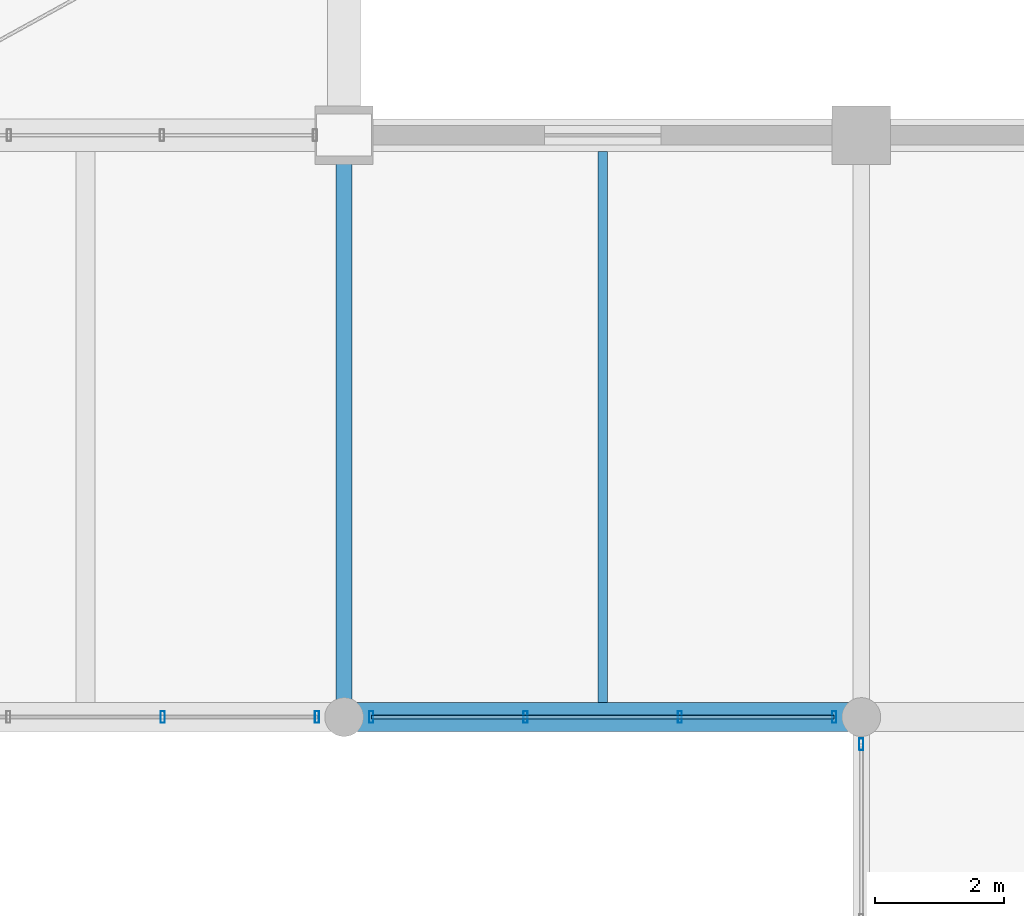
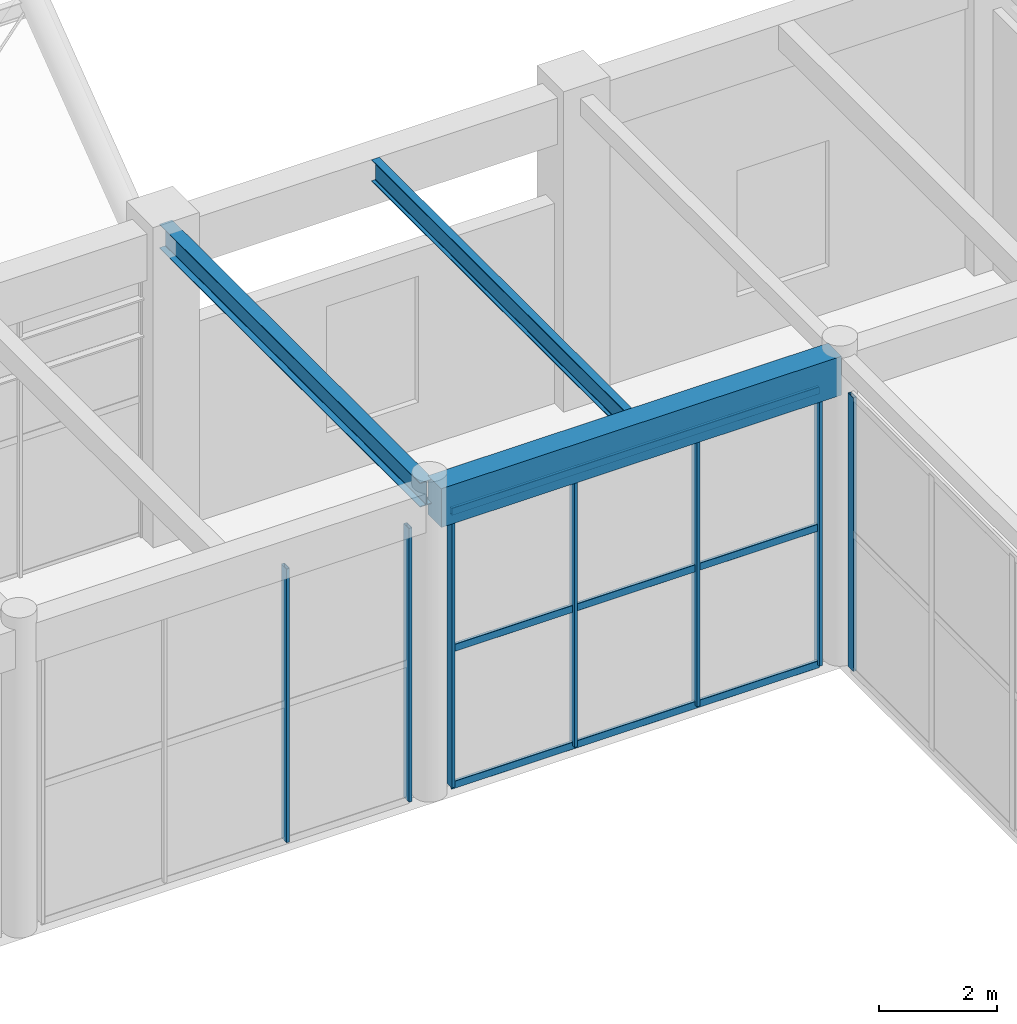
# One storey, part 97 of 163: 10 members, 3 beams, 3 elements without a shape of their own.
"""IFC4 building model written with IfcOpenShell, lengths in metres."""

import ifcopenshell
import ifcopenshell.guid

model = None  # the IFC model being written
_history = None  # IfcOwnerHistory: only IFC2X3 demands one
_inside = {}  # id of a spatial element -> (the spatial element, [elements in it])
_under = {}  # id of a project, library or spatial element -> (it, [spatial elements below it])
_declared = {}  # id of a project -> (the project, [libraries it declares])
_typed = {}  # id of a type object -> (the type object, [elements of that type])
_made_of = {}  # id of a material, layer set ... -> (it, [elements and type objects made of it])


def new_model(schema):
    """Start an empty IFC model of exactly this schema.

    Asked for "IFC4X3", IfcOpenShell would pick the latest addendum, in which some entities
    have other attributes; the version numbers below select the first issue.
    IFC2X3 requires an IfcOwnerHistory on every rooted entity: one is made here for all.
    """
    global model, _history
    if schema == "IFC4X3":
        model = ifcopenshell.file(schema_version=(4, 3, 0, 0))
    else:
        model = ifcopenshell.file(schema=schema)
    _inside.clear()
    _under.clear()
    _declared.clear()
    _typed.clear()
    _made_of.clear()
    _history = None
    if model.schema == "IFC2X3":
        org = make("IfcOrganization", Name="unknown")
        user = make(
            "IfcPersonAndOrganization",
            ThePerson=make("IfcPerson", FamilyName="unknown"),
            TheOrganization=org,
        )
        app = make(
            "IfcApplication",
            ApplicationDeveloper=org,
            Version="unknown",
            ApplicationFullName="unknown",
            ApplicationIdentifier="unknown",
        )
        _history = make(
            "IfcOwnerHistory",
            OwningUser=user,
            OwningApplication=app,
            ChangeAction="ADDED",
            CreationDate=0,
        )
    return model


def make(cls, **values):
    """One entity of the class cls with the attributes given. An attribute that is None is left unset."""
    return model.create_entity(
        cls, **{name: value for name, value in values.items() if value is not None}
    )


def rooted(cls, **values):
    """An entity with a GlobalId (a new one), such as an element, a storey or a relation."""
    return make(cls, GlobalId=ifcopenshell.guid.new(), OwnerHistory=_history, **values)


def si_unit(unit_type, name, prefix=None):
    """IfcSIUnit, for example si_unit("LENGTHUNIT", "METRE", prefix="MILLI")."""
    return make("IfcSIUnit", UnitType=unit_type, Prefix=prefix, Name=name)


def assignment(units):
    """IfcUnitAssignment: the units of a project."""
    return None if units is None else make("IfcUnitAssignment", Units=units)


def point(xyz):
    """IfcCartesianPoint."""
    return None if xyz is None else make("IfcCartesianPoint", Coordinates=xyz)


def direction(xyz):
    """IfcDirection."""
    return None if xyz is None else make("IfcDirection", DirectionRatios=xyz)


def frame(location, z_axis=None, x_axis=None):
    """IfcAxis2Placement3D, a coordinate frame: its origin and axes. An axis left out is left unset."""
    return make(
        "IfcAxis2Placement3D",
        Location=point(location),
        Axis=direction(z_axis),
        RefDirection=direction(x_axis),
    )


def frame_2d(location, x_axis=None):
    """IfcAxis2Placement2D, a coordinate frame in the plane: its origin and x axis."""
    return make(
        "IfcAxis2Placement2D", Location=point(location), RefDirection=direction(x_axis)
    )


def origin():
    """The frame at (0, 0, 0) with its axes left unset."""
    return frame((0.0, 0.0, 0.0))


def origin_2d():
    """The frame at (0, 0) in the plane with its x axis left unset."""
    return frame_2d((0.0, 0.0))


def place(relative_to, where):
    """IfcLocalPlacement: puts the frame where relative to a parent placement (None: the world)."""
    return make(
        "IfcLocalPlacement", PlacementRelTo=relative_to, RelativePlacement=where
    )


def context(
    kind, dimensions, precision=None, world=None, true_north=None, identifier=None
):
    """IfcGeometricRepresentationContext, for example the 3D "Model" context."""
    return make(
        "IfcGeometricRepresentationContext",
        ContextIdentifier=identifier,
        ContextType=kind,
        CoordinateSpaceDimension=dimensions,
        Precision=precision,
        WorldCoordinateSystem=world,
        TrueNorth=true_north,
    )


def subcontext(parent, identifier, kind, view, scale=None):
    """IfcGeometricRepresentationSubContext, for example "Body" below "Model"."""
    return make(
        "IfcGeometricRepresentationSubContext",
        ContextIdentifier=identifier,
        ContextType=kind,
        ParentContext=parent,
        TargetScale=scale,
        TargetView=view,
    )


def project(units=None, contexts=None):
    """IfcProject with its units and contexts."""
    return rooted(
        "IfcProject",
        Name="project",
        RepresentationContexts=contexts,
        UnitsInContext=assignment(units),
    )


def spatial(cls, under=None, at=None, **own):
    """A site, building, storey or space (cls), placed at a placement, below another one or the project."""
    s = rooted(cls, ObjectPlacement=at, **own)
    if under is not None:
        _under.setdefault(under.id(), (under, []))[1].append(s)
    return s


def profile(cls, at=None, kind="AREA", **sizes):
    """A parametric profile (cls). Its sizes go by their IFC names, for example OverallWidth=200.0."""
    return make(cls, ProfileType=kind, Position=at, **sizes)


def rectangle(**sizes):
    """IfcRectangleProfileDef."""
    return profile("IfcRectangleProfileDef", **sizes)


def hollow_rectangle(**sizes):
    """IfcRectangleHollowProfileDef."""
    return profile("IfcRectangleHollowProfileDef", **sizes)


def i_section(**sizes):
    """IfcIShapeProfileDef."""
    return profile("IfcIShapeProfileDef", **sizes)


def extrude(swept, where, along, depth):
    """IfcExtrudedAreaSolid: the profile swept, set in the frame where, extruded along a direction by depth."""
    return make(
        "IfcExtrudedAreaSolid",
        SweptArea=swept,
        Position=where,
        ExtrudedDirection=direction(along),
        Depth=depth,
    )


def shape(context_of_items, identifier, shape_type, items):
    """IfcShapeRepresentation: the items that make up one representation, for example the "Body"."""
    return make(
        "IfcShapeRepresentation",
        ContextOfItems=context_of_items,
        RepresentationIdentifier=identifier,
        RepresentationType=shape_type,
        Items=items,
    )


def material(Name=None, Category=None):
    """IfcMaterial."""
    return make("IfcMaterial", Name=Name, Category=Category)


def material_profile(
    of_material, cross_section, Name=None, Category=None, Priority=None
):
    """IfcMaterialProfile: a cross section and its material."""
    return make(
        "IfcMaterialProfile",
        Name=Name,
        Material=of_material,
        Profile=cross_section,
        Priority=Priority,
        Category=Category,
    )


def profile_set(profiles, Name=None, composite=None):
    """IfcMaterialProfileSet."""
    return make(
        "IfcMaterialProfileSet",
        Name=Name,
        MaterialProfiles=profiles,
        CompositeProfile=composite,
    )


def made_of(thing, what):
    """Note that an element or type object is made of a material, layer set ...; save() writes the relation."""
    if what is not None:
        _made_of.setdefault(what.id(), (what, []))[1].append(thing)
    return thing


def type_object(cls, material=None, **own):
    """A type object (cls), such as IfcWallType, which elements share."""
    return made_of(rooted(cls, **own), material)


def element(
    cls,
    number,
    at=None,
    inside=None,
    cuts=None,
    type_object=None,
    material=None,
    context=None,
    identifier="Body",
    shape_type=None,
    held_by="IfcProductDefinitionShape",
    body=None,
    shapes=None,
    **own,
):
    """One element of the class cls, such as IfcWall. Its Tag is "e" and its number.

    at: its placement. inside: the storey or other place that contains it. cuts: it is an
    opening in that element (IfcRelVoidsElement). A single representation is given by context,
    identifier, shape_type and body (its items); several are given by shapes. held_by: the class
    of the entity that holds the representations. save() writes the other relations.
    """
    e = rooted(cls, Tag="e%d" % number, ObjectPlacement=at, **own)
    if body is not None:
        shapes = [shape(context, identifier, shape_type, body)]
    if shapes is not None:
        e.Representation = make(held_by, Representations=shapes)
    if inside is not None:
        _inside.setdefault(inside.id(), (inside, []))[1].append(e)
    if cuts is not None:
        rooted(
            "IfcRelVoidsElement", RelatingBuildingElement=cuts, RelatedOpeningElement=e
        )
    if type_object is not None:
        _typed.setdefault(type_object.id(), (type_object, []))[1].append(e)
    return made_of(e, material)


def aggregate(whole, parts):
    """IfcRelAggregates: a whole, such as a stair, and the parts it consists of."""
    return rooted("IfcRelAggregates", RelatingObject=whole, RelatedObjects=parts)


def save(model, path):
    """Write the relations noted so far, then the file.

    IfcRelAggregates (storeys below a building ...), IfcRelContainedInSpatialStructure (elements
    in a storey), IfcRelDefinesByType, IfcRelAssociatesMaterial and IfcRelDeclares: one each for
    every whole, place, type object, material and project.
    """
    for whole, parts in _under.values():
        aggregate(whole, parts)
    for where, things in _inside.values():
        rooted(
            "IfcRelContainedInSpatialStructure",
            RelatedElements=things,
            RelatingStructure=where,
        )
    for kind, things in _typed.values():
        rooted("IfcRelDefinesByType", RelatedObjects=things, RelatingType=kind)
    for what, things in _made_of.values():
        rooted("IfcRelAssociatesMaterial", RelatedObjects=things, RelatingMaterial=what)
    for by, libraries in _declared.values():
        rooted("IfcRelDeclares", RelatingContext=by, RelatedDefinitions=libraries)
    model.write(path)


model = new_model("IFC4")

# Units and contexts
model_context = context("Model", 3, precision=1e-05, world=origin(), true_north=direction((0.0, 1.0)))
body_context = subcontext(model_context, "Body", "Model", "MODEL_VIEW")
ifc_project = project(units=[si_unit("LENGTHUNIT", "METRE"), si_unit("AREAUNIT", "SQUARE_METRE"), si_unit("VOLUMEUNIT", "CUBIC_METRE"), si_unit("PLANEANGLEUNIT", "RADIAN"), si_unit("MASSUNIT", "GRAM", prefix="KILO")], contexts=[model_context])

# Site, building, storey
site_placement = place(None, origin())
site = spatial("IfcSite", under=ifc_project, at=site_placement, CompositionType="ELEMENT")
building_placement = place(site_placement, origin())
building = spatial("IfcBuilding", under=site, at=building_placement, Name="Varnabhumi Central Station", CompositionType="ELEMENT")
storey_placement = place(building_placement, frame((0.0, 0.0, 9.60009765625)))
storey = spatial("IfcBuildingStorey", under=building, at=storey_placement, Name="L02", CompositionType="ELEMENT", Elevation=9.60009765625)

# Beams
ifc_material_1 = material(Name="Structural steel E350", Category="steel")
ifc_material_profile_1 = material_profile(ifc_material_1, i_section(OverallWidth=0.14990234375, OverallDepth=0.449951171875, WebThickness=0.009521484375, FlangeThickness=0.017333984375, FilletRadius=0.014892578125, at=origin_2d()), Name="Structural steel E350", Category="steel")
ifc_profile_set_1 = profile_set([ifc_material_profile_1], Name="Structural steel E350")
beam_type_1 = type_object("IfcBeamType", Name="BM-JST-ISMB450", PredefinedType="JOIST", material=ifc_profile_set_1)
beam_1_placement = place(storey_placement, frame((140.0, 27.22509765625, 6.125), z_axis=(0.0, 1.0, 0.0), x_axis=(-1.0, 0.0, 0.0)))
element("IfcBeam", 1, at=beam_1_placement, inside=storey, type_object=beam_type_1, Name="Secondary Joist L02-18/19:D-E", PredefinedType="JOIST", context=body_context, shape_type="SweptSolid", body=[
    extrude(i_section(OverallWidth=0.14990234375, OverallDepth=0.449951171875, WebThickness=0.009521484375, FlangeThickness=0.017333984375, FilletRadius=0.014892578125, at=origin_2d()), origin(), (0.0, 0.0, 1.0), 8.52490234375),
])
ifc_material_2 = material(Name="Concrete M40", Category="concrete")
ifc_material_profile_2 = material_profile(ifc_material_2, rectangle(XDim=0.449951171875, YDim=0.800048828125, at=origin_2d()), Name="Concrete M40", Category="concrete")
ifc_profile_set_2 = profile_set([ifc_material_profile_2], Name="Concrete M40")
beam_type_2 = type_object("IfcBeamType", Name="BM-RC-450x800", PredefinedType="BEAM", material=ifc_profile_set_2)
beam_2_placement = place(storey_placement, frame((136.10009765625, 27.0, 5.949951171875), z_axis=(1.0, 0.0, 0.0), x_axis=(0.0, 1.0, 0.0)))
element("IfcBeam", 2, at=beam_2_placement, inside=storey, type_object=beam_type_2, Name="Beam L02-D:18-19", PredefinedType="BEAM", context=body_context, shape_type="SweptSolid", body=[
    extrude(rectangle(XDim=0.449951171875, YDim=0.800048828125, at=origin_2d()), origin(), (0.0, 0.0, 1.0), 7.7998046875),
])
ifc_material_profile_3 = material_profile(ifc_material_1, i_section(OverallWidth=0.25, OverallDepth=0.5, WebThickness=0.010009765625, FlangeThickness=0.0146484375, FilletRadius=0.014892578125, at=origin_2d()), Name="Structural steel E350", Category="steel")
ifc_profile_set_3 = profile_set([ifc_material_profile_3], Name="Structural steel E350")
beam_type_3 = type_object("IfcBeamType", Name="BM-SEC-ISWB500", PredefinedType="BEAM", material=ifc_profile_set_3)
beam_3_placement = place(storey_placement, frame((136.0, 27.10009765625, 6.099853515625), z_axis=(0.0, 1.0, 0.0), x_axis=(-1.0, 0.0, 0.0)))
element("IfcBeam", 3, at=beam_3_placement, inside=storey, type_object=beam_type_3, Name="Beam L02-18:D-E", PredefinedType="BEAM", context=body_context, shape_type="SweptSolid", body=[
    extrude(i_section(OverallWidth=0.25, OverallDepth=0.5, WebThickness=0.010009765625, FlangeThickness=0.0146484375, FilletRadius=0.014892578125, at=origin_2d()), origin(), (0.0, 0.0, 1.0), 8.7998046875),
])

# Curtain wall, member
ifc_material_3 = material(Name="Anodised aluminium 6063-T6", Category="aluminium")
curtain_wall_type = type_object("IfcCurtainWallType", Name="CW-PATIO-LOGGIA-L2", PredefinedType="NOTDEFINED", material=ifc_material_3)
curtain_wall_1_placement = place(storey_placement, origin())
curtain_wall_1 = element("IfcCurtainWall", 4, at=curtain_wall_1_placement, inside=storey, type_object=curtain_wall_type, Name="Curtain Wall CW-SP2W2", PredefinedType="NOTDEFINED")
ifc_material_profile_4 = material_profile(ifc_material_3, hollow_rectangle(XDim=0.06494140625, YDim=0.179931640625, WallThickness=0.00390625, InnerFilletRadius=0.001953125, OuterFilletRadius=0.006103515625, at=origin_2d()), Name="Anodised aluminium 6063-T6", Category="aluminium")
ifc_profile_set_4 = profile_set([ifc_material_profile_4], Name="Anodised aluminium 6063-T6")
member_type_1 = type_object("IfcMemberType", Name="CW-MUL-180", PredefinedType="MULLION", material=ifc_profile_set_4)
member_1_placement = place(storey_placement, frame((144.0, 26.580078125, 0.0), z_axis=(0.0, 0.0, 1.0), x_axis=(1.0, 0.0, 0.0)))
member_1 = element("IfcMember", 5, at=member_1_placement, type_object=member_type_1, Name="Curtain Wall Mullion CW-SP2W2-M4", PredefinedType="MULLION", context=body_context, shape_type="SweptSolid", body=[
    extrude(hollow_rectangle(XDim=0.06494140625, YDim=0.179931640625, WallThickness=0.00390625, InnerFilletRadius=0.001953125, OuterFilletRadius=0.006103515625, at=origin_2d()), origin(), (0.0, 0.0, 1.0), 5.639892578125),
])
aggregate(curtain_wall_1, [member_1])

# Curtain wall, members
curtain_wall_2_placement = place(storey_placement, origin())
curtain_wall_2 = element("IfcCurtainWall", 6, at=curtain_wall_2_placement, inside=storey, type_object=curtain_wall_type, Name="Curtain Wall CW-SP2N3", PredefinedType="NOTDEFINED")
member_2_placement = place(storey_placement, frame((133.193359375, 27.0, 0.0), z_axis=(0.0, 0.0, 1.0), x_axis=(1.0, 0.0, 0.0)))
member_2 = element("IfcMember", 7, at=member_2_placement, type_object=member_type_1, Name="Curtain Wall Mullion CW-SP2N3-M3", PredefinedType="MULLION", context=body_context, shape_type="SweptSolid", body=[
    extrude(hollow_rectangle(XDim=0.06494140625, YDim=0.179931640625, WallThickness=0.00390625, InnerFilletRadius=0.001953125, OuterFilletRadius=0.006103515625, at=origin_2d()), origin(), (0.0, 0.0, 1.0), 5.639892578125),
])
member_3_placement = place(storey_placement, frame((135.580078125, 27.0, 0.0), z_axis=(0.0, 0.0, 1.0), x_axis=(1.0, 0.0, 0.0)))
member_3 = element("IfcMember", 8, at=member_3_placement, type_object=member_type_1, Name="Curtain Wall Mullion CW-SP2N3-M4", PredefinedType="MULLION", context=body_context, shape_type="SweptSolid", body=[
    extrude(hollow_rectangle(XDim=0.06494140625, YDim=0.179931640625, WallThickness=0.00390625, InnerFilletRadius=0.001953125, OuterFilletRadius=0.006103515625, at=origin_2d()), origin(), (0.0, 0.0, 1.0), 5.639892578125),
])
aggregate(curtain_wall_2, [member_2, member_3])

curtain_wall_3_placement = place(storey_placement, origin())
curtain_wall_3 = element("IfcCurtainWall", 9, at=curtain_wall_3_placement, inside=storey, type_object=curtain_wall_type, Name="Curtain Wall CW-SP2N4", PredefinedType="NOTDEFINED")
member_4_placement = place(storey_placement, frame((136.419921875, 27.0, 0.0), z_axis=(0.0, 0.0, 1.0), x_axis=(1.0, 0.0, 0.0)))
member_4 = element("IfcMember", 10, at=member_4_placement, type_object=member_type_1, Name="Curtain Wall Mullion CW-SP2N4-M1", PredefinedType="MULLION", context=body_context, shape_type="SweptSolid", body=[
    extrude(hollow_rectangle(XDim=0.06494140625, YDim=0.179931640625, WallThickness=0.00390625, InnerFilletRadius=0.001953125, OuterFilletRadius=0.006103515625, at=origin_2d()), origin(), (0.0, 0.0, 1.0), 5.639892578125),
])
member_5_placement = place(storey_placement, frame((138.806640625, 27.0, 0.0), z_axis=(0.0, 0.0, 1.0), x_axis=(1.0, 0.0, 0.0)))
member_5 = element("IfcMember", 11, at=member_5_placement, type_object=member_type_1, Name="Curtain Wall Mullion CW-SP2N4-M2", PredefinedType="MULLION", context=body_context, shape_type="SweptSolid", body=[
    extrude(hollow_rectangle(XDim=0.06494140625, YDim=0.179931640625, WallThickness=0.00390625, InnerFilletRadius=0.001953125, OuterFilletRadius=0.006103515625, at=origin_2d()), origin(), (0.0, 0.0, 1.0), 5.639892578125),
])
member_6_placement = place(storey_placement, frame((141.193359375, 27.0, 0.0), z_axis=(0.0, 0.0, 1.0), x_axis=(1.0, 0.0, 0.0)))
member_6 = element("IfcMember", 12, at=member_6_placement, type_object=member_type_1, Name="Curtain Wall Mullion CW-SP2N4-M3", PredefinedType="MULLION", context=body_context, shape_type="SweptSolid", body=[
    extrude(hollow_rectangle(XDim=0.06494140625, YDim=0.179931640625, WallThickness=0.00390625, InnerFilletRadius=0.001953125, OuterFilletRadius=0.006103515625, at=origin_2d()), origin(), (0.0, 0.0, 1.0), 5.639892578125),
])
member_7_placement = place(storey_placement, frame((143.580078125, 27.0, 0.0), z_axis=(0.0, 0.0, 1.0), x_axis=(1.0, 0.0, 0.0)))
member_7 = element("IfcMember", 13, at=member_7_placement, type_object=member_type_1, Name="Curtain Wall Mullion CW-SP2N4-M4", PredefinedType="MULLION", context=body_context, shape_type="SweptSolid", body=[
    extrude(hollow_rectangle(XDim=0.06494140625, YDim=0.179931640625, WallThickness=0.00390625, InnerFilletRadius=0.001953125, OuterFilletRadius=0.006103515625, at=origin_2d()), origin(), (0.0, 0.0, 1.0), 5.639892578125),
])
ifc_material_profile_5 = material_profile(ifc_material_3, hollow_rectangle(XDim=0.06005859375, YDim=0.14990234375, WallThickness=0.00390625, InnerFilletRadius=0.001953125, OuterFilletRadius=0.006103515625, at=origin_2d()), Name="Anodised aluminium 6063-T6", Category="aluminium")
ifc_profile_set_5 = profile_set([ifc_material_profile_5], Name="Anodised aluminium 6063-T6")
member_type_2 = type_object("IfcMemberType", Name="CW-TR-150", PredefinedType="USERDEFINED", material=ifc_profile_set_5)
member_8_placement = place(storey_placement, frame((136.419921875, 27.0, 0.0), z_axis=(1.0, 0.0, 0.0), x_axis=(0.0, 1.0, 0.0)))
member_8 = element("IfcMember", 14, at=member_8_placement, type_object=member_type_2, Name="Curtain Wall Transom CW-SP2N4-T1", ObjectType="TRANSOM", PredefinedType="USERDEFINED", context=body_context, shape_type="SweptSolid", body=[
    extrude(hollow_rectangle(XDim=0.06005859375, YDim=0.14990234375, WallThickness=0.00390625, InnerFilletRadius=0.001953125, OuterFilletRadius=0.006103515625, at=origin_2d()), origin(), (0.0, 0.0, 1.0), 7.16015625),
])
member_9_placement = place(storey_placement, frame((136.419921875, 27.0, 2.81982421875), z_axis=(1.0, 0.0, 0.0), x_axis=(0.0, 1.0, 0.0)))
member_9 = element("IfcMember", 15, at=member_9_placement, type_object=member_type_2, Name="Curtain Wall Transom CW-SP2N4-T2", ObjectType="TRANSOM", PredefinedType="USERDEFINED", context=body_context, shape_type="SweptSolid", body=[
    extrude(hollow_rectangle(XDim=0.06005859375, YDim=0.14990234375, WallThickness=0.00390625, InnerFilletRadius=0.001953125, OuterFilletRadius=0.006103515625, at=origin_2d()), origin(), (0.0, 0.0, 1.0), 7.16015625),
])
member_10_placement = place(storey_placement, frame((136.419921875, 27.0, 5.639892578125), z_axis=(1.0, 0.0, 0.0), x_axis=(0.0, 1.0, 0.0)))
member_10 = element("IfcMember", 16, at=member_10_placement, type_object=member_type_2, Name="Curtain Wall Transom CW-SP2N4-T3", ObjectType="TRANSOM", PredefinedType="USERDEFINED", context=body_context, shape_type="SweptSolid", body=[
    extrude(hollow_rectangle(XDim=0.06005859375, YDim=0.14990234375, WallThickness=0.00390625, InnerFilletRadius=0.001953125, OuterFilletRadius=0.006103515625, at=origin_2d()), origin(), (0.0, 0.0, 1.0), 7.16015625),
])
aggregate(curtain_wall_3, [member_4, member_5, member_6, member_7, member_8, member_9, member_10])

save(model, "model.ifc")
